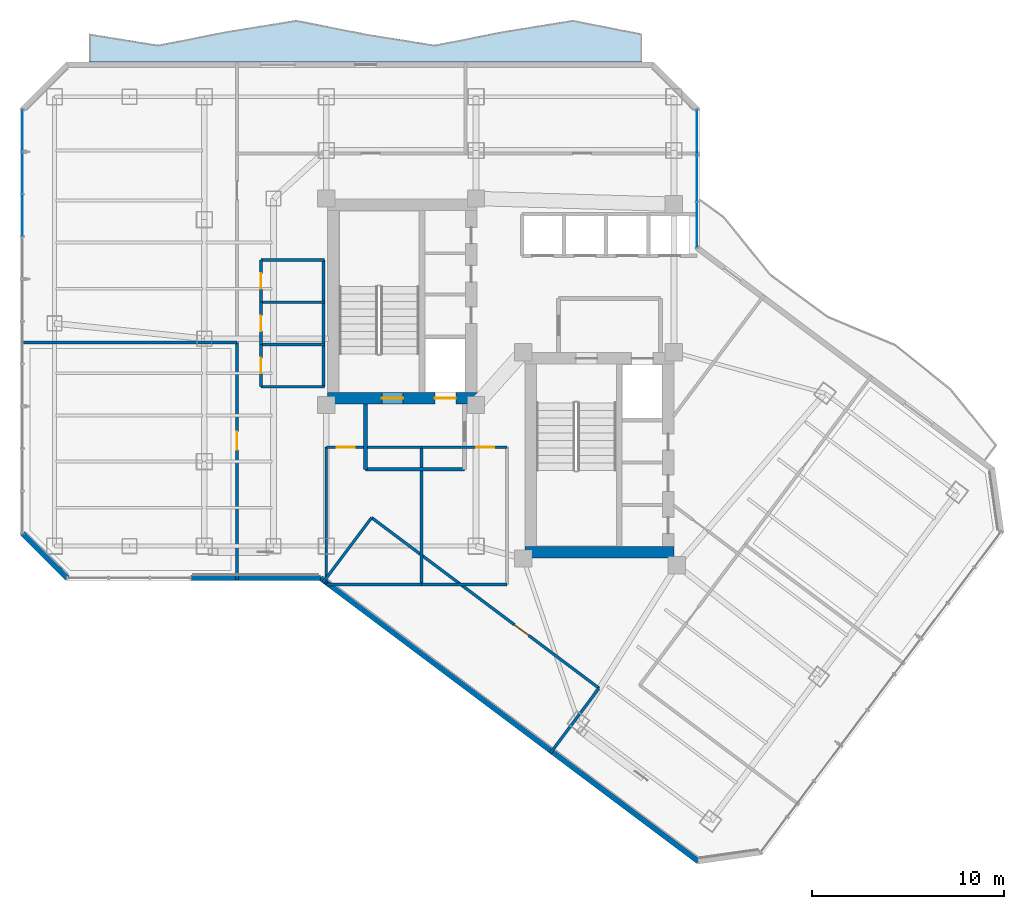
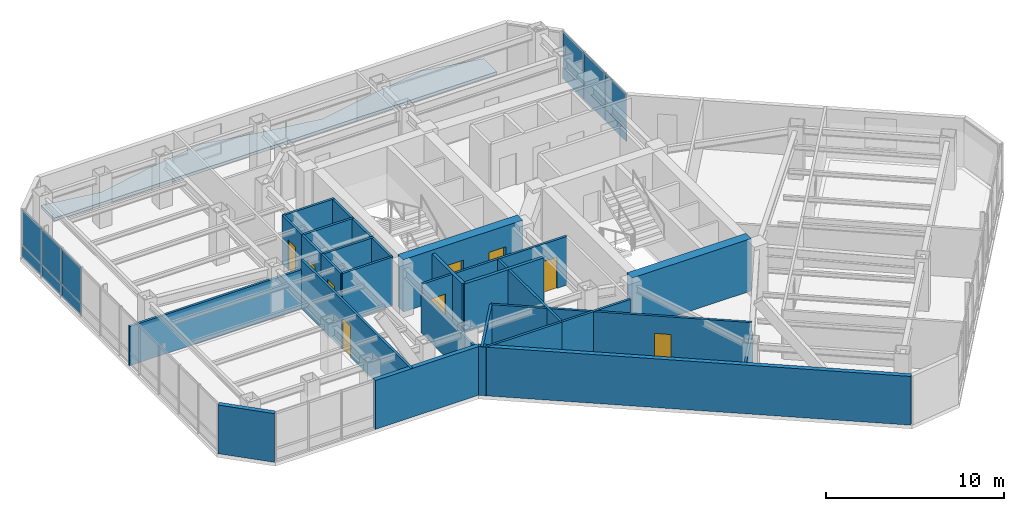
# One storey, part 22 of 28: 26 walls, 12 plates, 9 doors, 1 slab, 9 openings, 2 elements without a shape of their own.
"""IFC4 building model written with IfcOpenShell, lengths in metres."""

from ifc_helpers import new_model, si_unit, direction, frame, frame_2d, origin, origin_2d, place, context, subcontext, project, spatial, polyline, rectangle, outline, extrude, material, layer, layer_set, type_object, element, fill, aggregate, save


model = new_model("IFC4")

# Units and contexts
model_context = context("Model", 3, precision=1e-05, world=origin(), true_north=direction((0.0, 1.0)))
body_context = subcontext(model_context, "Body", "Model", "MODEL_VIEW")
ifc_project = project(units=[si_unit("LENGTHUNIT", "METRE"), si_unit("AREAUNIT", "SQUARE_METRE"), si_unit("VOLUMEUNIT", "CUBIC_METRE"), si_unit("PLANEANGLEUNIT", "RADIAN"), si_unit("MASSUNIT", "GRAM", prefix="KILO")], contexts=[model_context])

# Site, building, storey
site_placement = place(None, origin())
site = spatial("IfcSite", under=ifc_project, at=site_placement, CompositionType="ELEMENT")
building_placement = place(site_placement, origin())
building = spatial("IfcBuilding", under=site, at=building_placement, Name="Hatsunagi Terrace Concourse", CompositionType="ELEMENT")
storey_placement = place(building_placement, frame((0.0, 0.0, 138.449951171875)))
storey = spatial("IfcBuildingStorey", under=building, at=storey_placement, Name="L36", CompositionType="ELEMENT", Elevation=138.449951171875)

# Curtain wall, plates
ifc_material_1 = material(Name="Anodised Aluminium Alloy 6063-T5", Category="aluminium")
ifc_layer_1 = layer(ifc_material_1, 0.199951171875)
ifc_layer_set_1 = layer_set([ifc_layer_1], Name="OfficeZone1_CW03")
curtain_wall_type = type_object("IfcCurtainWallType", Name="OfficeZone1_CW03", PredefinedType="NOTDEFINED", material=ifc_layer_set_1)
curtain_wall_1_placement = place(storey_placement, origin())
curtain_wall_1 = element("IfcCurtainWall", 1, at=curtain_wall_1_placement, inside=storey, type_object=curtain_wall_type, Name="Unitised Curtain Wall CW-03 CW-L36-09", PredefinedType="NOTDEFINED")
ifc_material_2 = material(Name="Warm Terracotta Ceramic Spandrel Panel", Category="masonry")
ifc_layer_2 = layer(ifc_material_2, 0.031982421875)
ifc_layer_set_2 = layer_set([ifc_layer_2], Name="CurtainWallSpandrelPanel_32")
plate_type_1 = type_object("IfcPlateType", Name="CurtainWallSpandrelPanel_32", PredefinedType="SHEET", material=ifc_layer_set_2)
plate_1_placement = place(storey_placement, frame((9.739990234375, 42.4208984375, 0.030029296875), z_axis=(0.0, 0.0, 1.0), x_axis=(0.0, 1.0, 0.0)))
plate_1 = element("IfcPlate", 2, at=plate_1_placement, type_object=plate_type_1, Name="Terracotta Spandrel Panel SPN-01", PredefinedType="SHEET", context=body_context, shape_type="SweptSolid", body=[
    extrude(rectangle(XDim=2.153076171875, YDim=0.031982421875, at=origin_2d()), origin(), (0.0, 0.0, 1.0), 0.7900390625),
])
plate_2_placement = place(storey_placement, frame((9.739990234375, 44.62890625, 0.030029296875), z_axis=(0.0, 0.0, 1.0), x_axis=(0.0, 1.0, 0.0)))
plate_2 = element("IfcPlate", 3, at=plate_2_placement, type_object=plate_type_1, Name="Terracotta Spandrel Panel SPN-01", PredefinedType="SHEET", context=body_context, shape_type="SweptSolid", body=[
    extrude(rectangle(XDim=2.153076171875, YDim=0.031982421875, at=origin_2d()), origin(), (0.0, 0.0, 1.0), 0.7900390625),
])
plate_3_placement = place(storey_placement, frame((9.739990234375, 46.837890625, 0.030029296875), z_axis=(0.0, 0.0, 1.0), x_axis=(0.0, 1.0, 0.0)))
plate_3 = element("IfcPlate", 4, at=plate_3_placement, type_object=plate_type_1, Name="Terracotta Spandrel Panel SPN-01", PredefinedType="SHEET", context=body_context, shape_type="SweptSolid", body=[
    extrude(rectangle(XDim=2.153076171875, YDim=0.031982421875, at=origin_2d()), origin(), (0.0, 0.0, 1.0), 0.7900390625),
])

curtain_wall_2_placement = place(storey_placement, origin())
curtain_wall_2 = element("IfcCurtainWall", 5, at=curtain_wall_2_placement, inside=storey, type_object=curtain_wall_type, Name="Unitised Curtain Wall CW-03 CW-L36-13", PredefinedType="NOTDEFINED")
plate_4_placement = place(storey_placement, frame((44.860107421875, 46.739990234375, 0.030029296875), z_axis=(0.0, 0.0, 1.0), x_axis=(0.0, -1.0, 0.0)))
plate_4 = element("IfcPlate", 6, at=plate_4_placement, type_object=plate_type_1, Name="Terracotta Spandrel Panel SPN-01", PredefinedType="SHEET", context=body_context, shape_type="SweptSolid", body=[
    extrude(rectangle(XDim=2.34912109375, YDim=0.031982421875, at=origin_2d()), origin(), (0.0, 0.0, 1.0), 0.7900390625),
])
plate_5_placement = place(storey_placement, frame((44.860107421875, 44.3359375, 0.030029296875), z_axis=(0.0, 0.0, 1.0), x_axis=(0.0, -1.0, 0.0)))
plate_5 = element("IfcPlate", 7, at=plate_5_placement, type_object=plate_type_1, Name="Terracotta Spandrel Panel SPN-01", PredefinedType="SHEET", context=body_context, shape_type="SweptSolid", body=[
    extrude(rectangle(XDim=2.34912109375, YDim=0.031982421875, at=origin_2d()), origin(), (0.0, 0.0, 1.0), 0.7900390625),
])
plate_6_placement = place(storey_placement, frame((44.860107421875, 41.931884765625, 0.030029296875), z_axis=(0.0, 0.0, 1.0), x_axis=(0.0, -1.0, 0.0)))
plate_6 = element("IfcPlate", 8, at=plate_6_placement, type_object=plate_type_1, Name="Terracotta Spandrel Panel SPN-01", PredefinedType="SHEET", context=body_context, shape_type="SweptSolid", body=[
    extrude(rectangle(XDim=2.34912109375, YDim=0.031982421875, at=origin_2d()), origin(), (0.0, 0.0, 1.0), 0.7900390625),
])

# Plate
ifc_material_3 = material(Name="Low-E Double Insulating Glass 28mm", Category="glass")
ifc_layer_3 = layer(ifc_material_3, 0.028076171875)
ifc_layer_set_3 = layer_set([ifc_layer_3], Name="CurtainWallVisionGlass_28")
plate_type_2 = type_object("IfcPlateType", Name="CurtainWallVisionGlass_28", PredefinedType="CURTAIN_PANEL", material=ifc_layer_set_3)
plate_7_placement = place(storey_placement, frame((9.739990234375, 42.4208984375, 0.880126953125), z_axis=(0.0, 0.0, 1.0), x_axis=(0.0, 1.0, 0.0)))
plate_7 = element("IfcPlate", 9, at=plate_7_placement, type_object=plate_type_2, Name="Low-E Vision Glass Panel GLZ-01", PredefinedType="CURTAIN_PANEL", context=body_context, shape_type="SweptSolid", body=[
    extrude(rectangle(XDim=2.153076171875, YDim=0.028076171875, at=origin_2d()), origin(), (0.0, 0.0, 1.0), 2.43994140625),
])

plate_8_placement = place(storey_placement, frame((9.739990234375, 44.62890625, 0.880126953125), z_axis=(0.0, 0.0, 1.0), x_axis=(0.0, 1.0, 0.0)))
plate_8 = element("IfcPlate", 10, at=plate_8_placement, type_object=plate_type_2, Name="Low-E Vision Glass Panel GLZ-01", PredefinedType="CURTAIN_PANEL", context=body_context, shape_type="SweptSolid", body=[
    extrude(rectangle(XDim=2.153076171875, YDim=0.028076171875, at=origin_2d()), origin(), (0.0, 0.0, 1.0), 2.43994140625),
])

plate_9_placement = place(storey_placement, frame((9.739990234375, 46.837890625, 0.880126953125), z_axis=(0.0, 0.0, 1.0), x_axis=(0.0, 1.0, 0.0)))
plate_9 = element("IfcPlate", 11, at=plate_9_placement, type_object=plate_type_2, Name="Low-E Vision Glass Panel GLZ-01", PredefinedType="CURTAIN_PANEL", context=body_context, shape_type="SweptSolid", body=[
    extrude(rectangle(XDim=2.153076171875, YDim=0.028076171875, at=origin_2d()), origin(), (0.0, 0.0, 1.0), 2.43994140625),
])

aggregate(curtain_wall_1, [plate_1, plate_7, plate_2, plate_8, plate_3, plate_9])

plate_10_placement = place(storey_placement, frame((44.860107421875, 46.739990234375, 0.880126953125), z_axis=(0.0, 0.0, 1.0), x_axis=(0.0, -1.0, 0.0)))
plate_10 = element("IfcPlate", 12, at=plate_10_placement, type_object=plate_type_2, Name="Low-E Vision Glass Panel GLZ-01", PredefinedType="CURTAIN_PANEL", context=body_context, shape_type="SweptSolid", body=[
    extrude(rectangle(XDim=2.34912109375, YDim=0.028076171875, at=origin_2d()), origin(), (0.0, 0.0, 1.0), 2.43994140625),
])

plate_11_placement = place(storey_placement, frame((44.860107421875, 44.3359375, 0.880126953125), z_axis=(0.0, 0.0, 1.0), x_axis=(0.0, -1.0, 0.0)))
plate_11 = element("IfcPlate", 13, at=plate_11_placement, type_object=plate_type_2, Name="Low-E Vision Glass Panel GLZ-01", PredefinedType="CURTAIN_PANEL", context=body_context, shape_type="SweptSolid", body=[
    extrude(rectangle(XDim=2.34912109375, YDim=0.028076171875, at=origin_2d()), origin(), (0.0, 0.0, 1.0), 2.43994140625),
])

plate_12_placement = place(storey_placement, frame((44.860107421875, 41.931884765625, 0.880126953125), z_axis=(0.0, 0.0, 1.0), x_axis=(0.0, -1.0, 0.0)))
plate_12 = element("IfcPlate", 14, at=plate_12_placement, type_object=plate_type_2, Name="Low-E Vision Glass Panel GLZ-01", PredefinedType="CURTAIN_PANEL", context=body_context, shape_type="SweptSolid", body=[
    extrude(rectangle(XDim=2.34912109375, YDim=0.028076171875, at=origin_2d()), origin(), (0.0, 0.0, 1.0), 2.43994140625),
])

aggregate(curtain_wall_2, [plate_4, plate_10, plate_5, plate_11, plate_6, plate_12])

# Slab
ifc_material_4 = material(Name="Concrete Fc42", Category="concrete")
ifc_layer_4 = layer(ifc_material_4, 0.199951171875)
ifc_layer_set_4 = layer_set([ifc_layer_4], Name="EngawaBalconySlab_Fc42_200")
slab_type = type_object("IfcSlabType", Name="EngawaBalconySlab_Fc42_200", PredefinedType="FLOOR", material=ifc_layer_set_4)
slab_placement = place(storey_placement, frame((0.0, 0.0, -0.199951171875)))
element("IfcSlab", 15, at=slab_placement, inside=storey, type_object=slab_type, Name="Engawa Balcony Slab BAL-L36-BN", PredefinedType="FLOOR", context=body_context, shape_type="SweptSolid", body=[
    extrude(outline(polyline([(13.199951171875, 51.882080078125), (13.199951171875, 50.39990234375), (42.0, 50.39990234375), (42.0, 51.882080078125), (38.39990234375, 52.595947265625), (34.800048828125, 52.01806640625), (31.199951171875, 51.303955078125), (27.60009765625, 51.882080078125), (24.0, 52.595947265625), (20.39990234375, 52.01806640625), (16.800048828125, 51.303955078125), (13.199951171875, 51.882080078125)])), origin(), (0.0, 0.0, 1.0), 0.199951171875),
])

# Wall, openings, doors
ifc_material_5 = material(Name="Concrete Fc48", Category="concrete")
ifc_layer_5 = layer(ifc_material_5, 0.60009765625)
ifc_layer_set_5 = layer_set([ifc_layer_5], Name="CoreShearWall_Fc48_600")
wall_type_1 = type_object("IfcWallType", Name="CoreShearWall_Fc48_600", PredefinedType="SHEAR", material=ifc_layer_set_5)
wall_1_placement = place(storey_placement, frame((25.6201171875, 32.889892578125, 0.0), z_axis=(0.0, 0.0, 1.0), x_axis=(1.0, 0.0, 0.0)))
wall_1 = element("IfcWall", 16, at=wall_1_placement, inside=storey, type_object=wall_type_1, Name="Core A Shear Wall S L36", PredefinedType="SHEAR", context=body_context, shape_type="SweptSolid", body=[
    extrude(rectangle(XDim=7.77978515625, YDim=0.60009765625, at=frame_2d((3.889892578125, 0.0))), origin(), (0.0, 0.0, 1.0), 3.60009765625),
])
opening_1_placement = place(wall_1_placement, frame((2.830078125, 0.0, 0.0)))
opening_1 = element("IfcOpeningElement", 17, at=opening_1_placement, cuts=wall_1, Name="Opening DR-110S", PredefinedType="OPENING", context=body_context, shape_type="SweptSolid", body=[
    extrude(rectangle(XDim=1.10009765625, YDim=2.199951171875, at=frame_2d((0.550048828125, 1.10009765625))), frame((0.0, 0.31005859375, 0.0), z_axis=(0.0, -1.0, 0.0), x_axis=(1.0, 0.0, 0.0)), (0.0, 0.0, 1.0), 0.6201171875),
])
opening_2_placement = place(wall_1_placement, frame((5.580078125, 0.0, 0.0)))
opening_2 = element("IfcOpeningElement", 18, at=opening_2_placement, cuts=wall_1, Name="Opening LD-01", PredefinedType="OPENING", context=body_context, shape_type="SweptSolid", body=[
    extrude(rectangle(XDim=1.10009765625, YDim=2.14990234375, at=frame_2d((0.550048828125, 1.074951171875))), frame((0.0, 0.31005859375, 0.0), z_axis=(0.0, -1.0, 0.0), x_axis=(1.0, 0.0, 0.0)), (0.0, 0.0, 1.0), 0.6201171875),
])
ifc_material_6 = material(Name="Stainless steel", Category="steel")
door_type_1 = type_object("IfcDoorType", Name="LiftLandingDoor_LD01", OperationType="SLIDING_TO_LEFT", PredefinedType="USERDEFINED", material=ifc_material_6)
door_1_placement = place(opening_2_placement, origin())
door_1 = element("IfcDoor", 19, at=door_1_placement, inside=storey, type_object=door_type_1, Name="Lift landing door FF-01 L36", ObjectType="SLIDING_LANDING_DOOR", OperationType="SLIDING_TO_LEFT", OverallHeight=2.14990234375, OverallWidth=1.10009765625, PredefinedType="USERDEFINED", context=body_context, shape_type="SweptSolid", body=[
    extrude(rectangle(XDim=1.10009765625, YDim=2.14990234375, at=frame_2d((0.550048828125, 1.074951171875))), frame((0.0, 0.02490234375, 0.0), z_axis=(0.0, -1.0, 0.0), x_axis=(1.0, 0.0, 0.0)), (0.0, 0.0, 1.0), 0.050048828125),
])
fill(opening_2, door_1)
ifc_material_7 = material(Name="Painted steel", Category="steel")
door_type_2 = type_object("IfcDoorType", Name="StairFireDoor_EI60_1100", OperationType="NOTDEFINED", PredefinedType="DOOR", material=ifc_material_7)
door_2_placement = place(opening_1_placement, origin())
door_2 = element("IfcDoor", 20, at=door_2_placement, inside=storey, type_object=door_type_2, Name="Stair ST-A Exit Door L36", OperationType="SINGLE_SWING_LEFT", OverallHeight=2.199951171875, OverallWidth=1.10009765625, PredefinedType="DOOR", context=body_context, shape_type="SweptSolid", body=[
    extrude(rectangle(XDim=1.10009765625, YDim=2.199951171875, at=frame_2d((0.550048828125, 1.10009765625))), frame((0.0, 0.02490234375, 0.0), z_axis=(0.0, -1.0, 0.0), x_axis=(1.0, 0.0, 0.0)), (0.0, 0.0, 1.0), 0.050048828125),
])
fill(opening_1, door_2)

# Walls
wall_2_placement = place(storey_placement, frame((35.889892578125, 24.889892578125, 0.0), z_axis=(0.0, 0.0, 1.0), x_axis=(1.0, 0.0, 0.0)))
element("IfcWall", 21, at=wall_2_placement, inside=storey, type_object=wall_type_1, Name="Core B Shear Wall S L36", PredefinedType="SHEAR", context=body_context, shape_type="SweptSolid", body=[
    extrude(rectangle(XDim=7.760009765625, YDim=0.60009765625, at=frame_2d((3.8798828125, 0.0))), origin(), (0.0, 0.0, 1.0), 3.60009765625),
])
ifc_material_8 = material(Name="Acoustic mineral board", Category="gypsum")
ifc_layer_6 = layer(ifc_material_8, 0.14990234375)
ifc_layer_set_6 = layer_set([ifc_layer_6], Name="PartitionWall_EI60_150")
wall_type_2 = type_object("IfcWallType", Name="PartitionWall_EI60_150", PredefinedType="PARTITIONING", material=ifc_layer_set_6)
for number, where, z_axis, x_axis, name in (
    (22, (22.14990234375, 33.5, 0.0), (0.0, 0.0, 1.0), (1.0, 0.0, 0.0), "Interior Partition IW-L36-019"),
    (23, (22.14990234375, 40.10009765625, 0.0), (0.0, 0.0, 1.0), (1.0, 0.0, 0.0), "Interior Partition IW-L36-020"),
):
    element("IfcWall", number, at=place(storey_placement, frame(where, z_axis=z_axis, x_axis=x_axis)), inside=storey, type_object=wall_type_2, Name=name, PredefinedType="PARTITIONING", context=body_context, shape_type="SweptSolid", body=[
        extrude(rectangle(XDim=3.300048828125, YDim=0.14990234375, at=frame_2d((1.64990234375, 0.0))), origin(), (0.0, 0.0, 1.0), 3.35009765625),
    ])
wall_3_placement = place(storey_placement, frame((25.39990234375, 33.5, 0.0), z_axis=(0.0, 0.0, 1.0), x_axis=(0.0, 1.0, 0.0)))
element("IfcWall", 24, at=wall_3_placement, inside=storey, type_object=wall_type_2, Name="Interior Partition IW-L36-021", PredefinedType="PARTITIONING", context=body_context, shape_type="SweptSolid", body=[
    extrude(rectangle(XDim=6.60009765625, YDim=0.14990234375, at=frame_2d((3.300048828125, 0.0))), origin(), (0.0, 0.0, 1.0), 3.35009765625),
])
for number, where, z_axis, x_axis, name in (
    (25, (22.14990234375, 35.699951171875, 0.0), (0.0, 0.0, 1.0), (1.0, 0.0, 0.0), "Interior Partition IW-L36-022"),
    (26, (22.14990234375, 37.89990234375, 0.0), (0.0, 0.0, 1.0), (1.0, 0.0, 0.0), "Interior Partition IW-L36-023"),
):
    element("IfcWall", number, at=place(storey_placement, frame(where, z_axis=z_axis, x_axis=x_axis)), inside=storey, type_object=wall_type_2, Name=name, PredefinedType="PARTITIONING", context=body_context, shape_type="SweptSolid", body=[
        extrude(rectangle(XDim=3.300048828125, YDim=0.14990234375, at=frame_2d((1.64990234375, 0.0))), origin(), (0.0, 0.0, 1.0), 3.35009765625),
    ])

# Wall, opening, door
wall_4_placement = place(storey_placement, frame((22.14990234375, 33.5, 0.0), z_axis=(0.0, 0.0, 1.0), x_axis=(0.0, 1.0, 0.0)))
wall_4 = element("IfcWall", 27, at=wall_4_placement, inside=storey, type_object=wall_type_2, Name="Interior Partition IW-L36-024", PredefinedType="PARTITIONING", context=body_context, shape_type="SweptSolid", body=[
    extrude(rectangle(XDim=2.199951171875, YDim=0.14990234375, at=frame_2d((1.10009765625, 0.0))), origin(), (0.0, 0.0, 1.0), 3.35009765625),
])
opening_3_placement = place(wall_4_placement, frame((0.699951171875, 0.0, 0.0)))
opening_3 = element("IfcOpeningElement", 28, at=opening_3_placement, cuts=wall_4, Name="Opening DR-080", PredefinedType="OPENING", context=body_context, shape_type="SweptSolid", body=[
    extrude(rectangle(XDim=0.800048828125, YDim=2.06005859375, at=frame_2d((0.39990234375, 1.030029296875))), frame((0.0, 0.0849609375, 0.0), z_axis=(0.0, -1.0, 0.0), x_axis=(1.0, 0.0, 0.0)), (0.0, 0.0, 1.0), 0.169921875),
])
ifc_material_9 = material(Name="Hardwood timber", Category="wood")
door_type_3 = type_object("IfcDoorType", Name="BathroomDoor_800", OperationType="NOTDEFINED", PredefinedType="DOOR", material=ifc_material_9)
door_3_placement = place(opening_3_placement, origin())
door_3 = element("IfcDoor", 29, at=door_3_placement, inside=storey, type_object=door_type_3, Name="Accessible WC Door L36", OperationType="SINGLE_SWING_RIGHT", OverallHeight=2.06005859375, OverallWidth=0.800048828125, PredefinedType="DOOR", context=body_context, shape_type="SweptSolid", body=[
    extrude(rectangle(XDim=0.800048828125, YDim=2.06005859375, at=frame_2d((0.39990234375, 1.030029296875))), frame((0.0, 0.02490234375, 0.0), z_axis=(0.0, -1.0, 0.0), x_axis=(1.0, 0.0, 0.0)), (0.0, 0.0, 1.0), 0.050048828125),
])
fill(opening_3, door_3)

wall_5_placement = place(storey_placement, frame((22.14990234375, 35.699951171875, 0.0), z_axis=(0.0, 0.0, 1.0), x_axis=(0.0, 1.0, 0.0)))
wall_5 = element("IfcWall", 30, at=wall_5_placement, inside=storey, type_object=wall_type_2, Name="Interior Partition IW-L36-025", PredefinedType="PARTITIONING", context=body_context, shape_type="SweptSolid", body=[
    extrude(rectangle(XDim=2.199951171875, YDim=0.14990234375, at=frame_2d((1.10009765625, 0.0))), origin(), (0.0, 0.0, 1.0), 3.35009765625),
])
opening_4_placement = place(wall_5_placement, frame((0.699951171875, 0.0, 0.0)))
opening_4 = element("IfcOpeningElement", 31, at=opening_4_placement, cuts=wall_5, Name="Opening DR-080", PredefinedType="OPENING", context=body_context, shape_type="SweptSolid", body=[
    extrude(rectangle(XDim=0.800048828125, YDim=2.06005859375, at=frame_2d((0.39990234375, 1.030029296875))), frame((0.0, 0.0849609375, 0.0), z_axis=(0.0, -1.0, 0.0), x_axis=(1.0, 0.0, 0.0)), (0.0, 0.0, 1.0), 0.169921875),
])
door_4_placement = place(opening_4_placement, origin())
door_4 = element("IfcDoor", 32, at=door_4_placement, inside=storey, type_object=door_type_3, Name="Female Restroom Door L36", OperationType="SINGLE_SWING_RIGHT", OverallHeight=2.06005859375, OverallWidth=0.800048828125, PredefinedType="DOOR", context=body_context, shape_type="SweptSolid", body=[
    extrude(rectangle(XDim=0.800048828125, YDim=2.06005859375, at=frame_2d((0.39990234375, 1.030029296875))), frame((0.0, 0.02490234375, 0.0), z_axis=(0.0, -1.0, 0.0), x_axis=(1.0, 0.0, 0.0)), (0.0, 0.0, 1.0), 0.050048828125),
])
fill(opening_4, door_4)

wall_6_placement = place(storey_placement, frame((22.14990234375, 37.89990234375, 0.0), z_axis=(0.0, 0.0, 1.0), x_axis=(0.0, 1.0, 0.0)))
wall_6 = element("IfcWall", 33, at=wall_6_placement, inside=storey, type_object=wall_type_2, Name="Interior Partition IW-L36-026", PredefinedType="PARTITIONING", context=body_context, shape_type="SweptSolid", body=[
    extrude(rectangle(XDim=2.2001953125, YDim=0.14990234375, at=frame_2d((1.10009765625, 0.0))), origin(), (0.0, 0.0, 1.0), 3.35009765625),
])
opening_5_placement = place(wall_6_placement, frame((0.699951171875, 0.0, 0.0)))
opening_5 = element("IfcOpeningElement", 34, at=opening_5_placement, cuts=wall_6, Name="Opening DR-080", PredefinedType="OPENING", context=body_context, shape_type="SweptSolid", body=[
    extrude(rectangle(XDim=0.800048828125, YDim=2.06005859375, at=frame_2d((0.39990234375, 1.030029296875))), frame((0.0, 0.0849609375, 0.0), z_axis=(0.0, -1.0, 0.0), x_axis=(1.0, 0.0, 0.0)), (0.0, 0.0, 1.0), 0.169921875),
])
door_5_placement = place(opening_5_placement, origin())
door_5 = element("IfcDoor", 35, at=door_5_placement, inside=storey, type_object=door_type_3, Name="Male Restroom Door L36", OperationType="SINGLE_SWING_RIGHT", OverallHeight=2.06005859375, OverallWidth=0.800048828125, PredefinedType="DOOR", context=body_context, shape_type="SweptSolid", body=[
    extrude(rectangle(XDim=0.800048828125, YDim=2.06005859375, at=frame_2d((0.39990234375, 1.030029296875))), frame((0.0, 0.02490234375, 0.0), z_axis=(0.0, -1.0, 0.0), x_axis=(1.0, 0.0, 0.0)), (0.0, 0.0, 1.0), 0.050048828125),
])
fill(opening_5, door_5)

# Wall
wall_7_placement = place(storey_placement, frame((25.550048828125, 23.199951171875, 0.0), z_axis=(0.0, 0.0, 1.0), x_axis=(1.0, 0.0, 0.0)))
element("IfcWall", 36, at=wall_7_placement, inside=storey, type_object=wall_type_2, Name="Interior Partition IW-L36-027", PredefinedType="PARTITIONING", context=body_context, shape_type="SweptSolid", body=[
    extrude(rectangle(XDim=4.949951171875, YDim=0.14990234375, at=frame_2d((2.47509765625, 0.0))), origin(), (0.0, 0.0, 1.0), 3.35009765625),
])

# Wall, opening, door
wall_8_placement = place(storey_placement, frame((25.550048828125, 30.35009765625, 0.0), z_axis=(0.0, 0.0, 1.0), x_axis=(1.0, 0.0, 0.0)))
wall_8 = element("IfcWall", 37, at=wall_8_placement, inside=storey, type_object=wall_type_2, Name="Interior Partition IW-L36-028", PredefinedType="PARTITIONING", context=body_context, shape_type="SweptSolid", body=[
    extrude(rectangle(XDim=4.949951171875, YDim=0.14990234375, at=frame_2d((2.47509765625, 0.0))), origin(), (0.0, 0.0, 1.0), 3.35009765625),
])
opening_6_placement = place(wall_8_placement, frame((0.5419921875, 0.0, 0.0)))
opening_6 = element("IfcOpeningElement", 38, at=opening_6_placement, cuts=wall_8, Name="Opening DR-095", PredefinedType="OPENING", context=body_context, shape_type="SweptSolid", body=[
    extrude(rectangle(XDim=0.949951171875, YDim=2.14990234375, at=frame_2d((0.47509765625, 1.074951171875))), frame((0.0, 0.0849609375, 0.0), z_axis=(0.0, -1.0, 0.0), x_axis=(1.0, 0.0, 0.0)), (0.0, 0.0, 1.0), 0.169921875),
])
ifc_material_10 = material(Name="Hardwood timber", Category="wood")
door_type_4 = type_object("IfcDoorType", Name="InteriorSuiteDoor_EI30_950", OperationType="NOTDEFINED", PredefinedType="DOOR", material=ifc_material_10)
door_6_placement = place(opening_6_placement, origin())
door_6 = element("IfcDoor", 39, at=door_6_placement, inside=storey, type_object=door_type_4, Name="Design Studio L36-RECL1 Door", OperationType="SINGLE_SWING_RIGHT", OverallHeight=2.14990234375, OverallWidth=0.949951171875, PredefinedType="DOOR", context=body_context, shape_type="SweptSolid", body=[
    extrude(rectangle(XDim=0.949951171875, YDim=2.14990234375, at=frame_2d((0.47509765625, 1.074951171875))), frame((0.0, 0.02490234375, 0.0), z_axis=(0.0, -1.0, 0.0), x_axis=(1.0, 0.0, 0.0)), (0.0, 0.0, 1.0), 0.050048828125),
])
fill(opening_6, door_6)

# Walls
wall_9_placement = place(storey_placement, frame((25.550048828125, 23.199951171875, 0.0), z_axis=(0.0, 0.0, 1.0), x_axis=(0.0, 1.0, 0.0)))
element("IfcWall", 40, at=wall_9_placement, inside=storey, type_object=wall_type_2, Name="Interior Partition IW-L36-029", PredefinedType="PARTITIONING", context=body_context, shape_type="SweptSolid", body=[
    extrude(rectangle(XDim=7.150146484375, YDim=0.14990234375, at=frame_2d((3.5751953125, 0.0))), origin(), (0.0, 0.0, 1.0), 2.695068359375),
])
wall_10_placement = place(storey_placement, frame((30.5, 23.199951171875, 0.0), z_axis=(0.0, 0.0, 1.0), x_axis=(0.0, 1.0, 0.0)))
element("IfcWall", 41, at=wall_10_placement, inside=storey, type_object=wall_type_2, Name="Interior Partition IW-L36-030", PredefinedType="PARTITIONING", context=body_context, shape_type="SweptSolid", body=[
    extrude(rectangle(XDim=7.150146484375, YDim=0.14990234375, at=frame_2d((3.5751953125, 0.0))), origin(), (0.0, 0.0, 1.0), 3.35009765625),
])
wall_11_placement = place(storey_placement, frame((30.5, 23.199951171875, 0.0), z_axis=(0.0, 0.0, 1.0), x_axis=(1.0, 0.0, 0.0)))
element("IfcWall", 42, at=wall_11_placement, inside=storey, type_object=wall_type_2, Name="Interior Partition IW-L36-031", PredefinedType="PARTITIONING", context=body_context, shape_type="SweptSolid", body=[
    extrude(rectangle(XDim=4.449951171875, YDim=0.14990234375, at=frame_2d((2.22509765625, 0.0))), origin(), (0.0, 0.0, 1.0), 3.35009765625),
])

# Wall, opening, door
wall_12_placement = place(storey_placement, frame((30.5, 30.35009765625, 0.0), z_axis=(0.0, 0.0, 1.0), x_axis=(1.0, 0.0, 0.0)))
wall_12 = element("IfcWall", 43, at=wall_12_placement, inside=storey, type_object=wall_type_2, Name="Interior Partition IW-L36-032", PredefinedType="PARTITIONING", context=body_context, shape_type="SweptSolid", body=[
    extrude(rectangle(XDim=4.449951171875, YDim=0.14990234375, at=frame_2d((2.22509765625, 0.0))), origin(), (0.0, 0.0, 1.0), 3.35009765625),
])
opening_7_placement = place(wall_12_placement, frame((2.845947265625, 0.0, 0.0)))
opening_7 = element("IfcOpeningElement", 44, at=opening_7_placement, cuts=wall_12, Name="Opening DR-095", PredefinedType="OPENING", context=body_context, shape_type="SweptSolid", body=[
    extrude(rectangle(XDim=0.949951171875, YDim=2.14990234375, at=frame_2d((0.47509765625, 1.074951171875))), frame((0.0, 0.0849609375, 0.0), z_axis=(0.0, -1.0, 0.0), x_axis=(1.0, 0.0, 0.0)), (0.0, 0.0, 1.0), 0.169921875),
])
door_7_placement = place(opening_7_placement, origin())
door_7 = element("IfcDoor", 45, at=door_7_placement, inside=storey, type_object=door_type_4, Name="Executive Briefing Room L36-RECL2 Door", OperationType="SINGLE_SWING_RIGHT", OverallHeight=2.14990234375, OverallWidth=0.949951171875, PredefinedType="DOOR", context=body_context, shape_type="SweptSolid", body=[
    extrude(rectangle(XDim=0.949951171875, YDim=2.14990234375, at=frame_2d((0.47509765625, 1.074951171875))), frame((0.0, 0.02490234375, 0.0), z_axis=(0.0, -1.0, 0.0), x_axis=(1.0, 0.0, 0.0)), (0.0, 0.0, 1.0), 0.050048828125),
])
fill(opening_7, door_7)

# Wall
wall_13_placement = place(storey_placement, frame((9.639892578125, 35.800048828125, 0.0), z_axis=(0.0, 0.0, 1.0), x_axis=(1.0, 0.0, 0.0)))
element("IfcWall", 46, at=wall_13_placement, inside=storey, type_object=wall_type_2, Name="Interior Partition IW-L36-034", PredefinedType="PARTITIONING", context=body_context, shape_type="SweptSolid", body=[
    extrude(rectangle(XDim=11.260009765625, YDim=0.14990234375, at=frame_2d((5.6298828125, 0.0))), origin(), (0.0, 0.0, 1.0), 2.695068359375),
])

# Wall, opening, door
wall_14_placement = place(storey_placement, frame((20.89990234375, 23.43994140625, 0.0), z_axis=(0.0, 0.0, 1.0), x_axis=(0.0, 1.0, 0.0)))
wall_14 = element("IfcWall", 47, at=wall_14_placement, inside=storey, type_object=wall_type_2, Name="Interior Partition IW-L36-035", PredefinedType="PARTITIONING", context=body_context, shape_type="SweptSolid", body=[
    extrude(rectangle(XDim=12.360107421875, YDim=0.14990234375, at=frame_2d((6.18017578125, 0.0))), origin(), (0.0, 0.0, 1.0), 3.35009765625),
])
opening_8_placement = place(wall_14_placement, frame((6.77001953125, 0.0, 0.0)))
opening_8 = element("IfcOpeningElement", 48, at=opening_8_placement, cuts=wall_14, Name="Opening DR-095", PredefinedType="OPENING", context=body_context, shape_type="SweptSolid", body=[
    extrude(rectangle(XDim=0.949951171875, YDim=2.14990234375, at=frame_2d((0.47509765625, 1.074951171875))), frame((0.0, 0.0849609375, 0.0), z_axis=(0.0, -1.0, 0.0), x_axis=(1.0, 0.0, 0.0)), (0.0, 0.0, 1.0), 0.169921875),
])
door_8_placement = place(opening_8_placement, origin())
door_8 = element("IfcDoor", 49, at=door_8_placement, inside=storey, type_object=door_type_4, Name="Open Plan Office L36-OW1 Door", OperationType="SINGLE_SWING_RIGHT", OverallHeight=2.14990234375, OverallWidth=0.949951171875, PredefinedType="DOOR", context=body_context, shape_type="SweptSolid", body=[
    extrude(rectangle(XDim=0.949951171875, YDim=2.14990234375, at=frame_2d((0.47509765625, 1.074951171875))), frame((0.0, 0.02490234375, 0.0), z_axis=(0.0, -1.0, 0.0), x_axis=(1.0, 0.0, 0.0)), (0.0, 0.0, 1.0), 0.050048828125),
])
fill(opening_8, door_8)

wall_15_placement = place(storey_placement, frame((27.909912109375, 26.679931640625, 0.0), z_axis=(0.0, 0.0, 1.0), x_axis=(0.800005938517, -0.599992081896, 0.0)))
wall_15 = element("IfcWall", 50, at=wall_15_placement, inside=storey, type_object=wall_type_2, Name="Interior Partition IW-L36-046", PredefinedType="PARTITIONING", context=body_context, shape_type="SweptSolid", body=[
    extrude(rectangle(XDim=14.800048828125, YDim=0.14990234375, at=frame_2d((7.39990234375, 0.0))), origin(), (0.0, 0.0, 1.0), 3.35009765625),
])
opening_9_placement = place(wall_15_placement, frame((9.281005859375, 0.0, 0.0)))
opening_9 = element("IfcOpeningElement", 51, at=opening_9_placement, cuts=wall_15, Name="Opening DR-095", PredefinedType="OPENING", context=body_context, shape_type="SweptSolid", body=[
    extrude(rectangle(XDim=0.949951171875, YDim=2.14990234375, at=frame_2d((0.47509765625, 1.074951171875))), frame((0.0, 0.0849609375, 0.0), z_axis=(0.0, -1.0, 0.0), x_axis=(1.0, 0.0, 0.0)), (0.0, 0.0, 1.0), 0.169921875),
])
door_9_placement = place(opening_9_placement, origin())
door_9 = element("IfcDoor", 52, at=door_9_placement, inside=storey, type_object=door_type_4, Name="Research Focus Suite L36-OSWS Door", OperationType="SINGLE_SWING_RIGHT", OverallHeight=2.14990234375, OverallWidth=0.949951171875, PredefinedType="DOOR", context=body_context, shape_type="SweptSolid", body=[
    extrude(rectangle(XDim=0.949951171875, YDim=2.14990234375, at=frame_2d((0.47509765625, 1.074951171875))), frame((0.0, 0.02490234375, 0.0), z_axis=(0.0, -1.0, 0.0), x_axis=(1.0, 0.0, 0.0)), (0.0, 0.0, 1.0), 0.050048828125),
])
fill(opening_9, door_9)

# Walls
wall_16_placement = place(storey_placement, frame((25.384033203125, 23.31201171875, 0.0), z_axis=(0.0, 0.0, 1.0), x_axis=(0.599990721155, 0.80000695905, 0.0)))
element("IfcWall", 53, at=wall_16_placement, inside=storey, type_object=wall_type_2, Name="Interior Partition IW-L36-047", PredefinedType="PARTITIONING", context=body_context, shape_type="SweptSolid", body=[
    extrude(rectangle(XDim=4.2099609375, YDim=0.14990234375, at=frame_2d((2.10498046875, 0.0))), origin(), (0.0, 0.0, 1.0), 3.35009765625),
])
wall_17_placement = place(storey_placement, frame((37.22412109375, 14.431884765625, 0.0), z_axis=(0.0, 0.0, 1.0), x_axis=(0.599962885857, 0.800027834262, 0.0)))
element("IfcWall", 54, at=wall_17_placement, inside=storey, type_object=wall_type_2, Name="Interior Partition IW-L36-048", PredefinedType="PARTITIONING", context=body_context, shape_type="SweptSolid", body=[
    extrude(rectangle(XDim=4.2099609375, YDim=0.14990234375, at=frame_2d((2.10498046875, 0.0))), origin(), (0.0, 0.0, 1.0), 2.695068359375),
])
ifc_material_11 = material(Name="Acoustic mineral board", Category="gypsum")
ifc_layer_7 = layer(ifc_material_11, 0.199951171875)
ifc_layer_set_7 = layer_set([ifc_layer_7], Name="ShaftWall_EI120_200")
wall_type_3 = type_object("IfcWallType", Name="ShaftWall_EI120_200", PredefinedType="STANDARD", material=ifc_layer_set_7)
wall_18_placement = place(storey_placement, frame((27.60009765625, 29.199951171875, 0.0), z_axis=(0.0, 0.0, 1.0), x_axis=(1.0, 0.0, 0.0)))
element("IfcWall", 55, at=wall_18_placement, inside=storey, type_object=wall_type_3, Name="Interior Partition IW-L36-007", PredefinedType="STANDARD", context=body_context, shape_type="SweptSolid", body=[
    extrude(rectangle(XDim=5.14990234375, YDim=0.199951171875, at=frame_2d((2.574951171875, 0.0))), origin(), (0.0, 0.0, 1.0), 3.35009765625),
])
wall_19_placement = place(storey_placement, frame((27.60009765625, 29.199951171875, 0.0), z_axis=(0.0, 0.0, 1.0), x_axis=(0.0, 1.0, 0.0)))
element("IfcWall", 56, at=wall_19_placement, inside=storey, type_object=wall_type_3, Name="Interior Partition IW-L36-008", PredefinedType="STANDARD", context=body_context, shape_type="SweptSolid", body=[
    extrude(rectangle(XDim=3.39013671875, YDim=0.199951171875, at=frame_2d((1.695068359375, 0.0))), origin(), (0.0, 0.0, 1.0), 3.35009765625),
])
ifc_material_12 = material(Name="Autoclaved Lightweight Concrete and Terracotta Cladding", Category="masonry")
ifc_layer_8 = layer(ifc_material_12, 0.280029296875)
ifc_layer_set_8 = layer_set([ifc_layer_8], Name="TerracottaSpandrelWall_280")
wall_type_4 = type_object("IfcWallType", Name="TerracottaSpandrelWall_280", PredefinedType="STANDARD", material=ifc_layer_set_8)
wall_20_placement = place(storey_placement, frame((44.91796875, 8.787109375, 0.0), z_axis=(0.0, 0.0, 1.0), x_axis=(-0.800004765927, 0.599993645378, 0.0)))
element("IfcWall", 57, at=wall_20_placement, inside=storey, type_object=wall_type_4, Name="Exterior Spandrel Wall EW-L36-05", PredefinedType="STANDARD", context=body_context, shape_type="SweptSolid", body=[
    extrude(rectangle(XDim=24.58837890625, YDim=0.280029296875, at=frame_2d((12.294189453125, 0.0))), origin(), (0.0, 0.0, 1.0), 3.35009765625),
])
wall_21_placement = place(storey_placement, frame((25.2470703125, 23.5400390625, 0.0), z_axis=(0.0, 0.0, 1.0), x_axis=(-1.0, 0.0, 0.0)))
element("IfcWall", 58, at=wall_21_placement, inside=storey, type_object=wall_type_4, Name="Exterior Spandrel Wall EW-L36-06", PredefinedType="STANDARD", context=body_context, shape_type="SweptSolid", body=[
    extrude(rectangle(XDim=6.7470703125, YDim=0.280029296875, at=frame_2d((3.37353515625, 0.0))), origin(), (0.0, 0.0, 1.0), 3.35009765625),
])
wall_22_placement = place(storey_placement, frame((12.05810546875, 23.5400390625, 0.0), z_axis=(0.0, 0.0, 1.0), x_axis=(-0.707144017911, 0.707069542501, 0.0)))
element("IfcWall", 59, at=wall_22_placement, inside=storey, type_object=wall_type_4, Name="Exterior Spandrel Wall EW-L36-08", PredefinedType="STANDARD", context=body_context, shape_type="SweptSolid", body=[
    extrude(rectangle(XDim=3.278076171875, YDim=0.280029296875, at=frame_2d((1.63916015625, 0.0))), origin(), (0.0, 0.0, 1.0), 3.35009765625),
])

save(model, "model.ifc")
